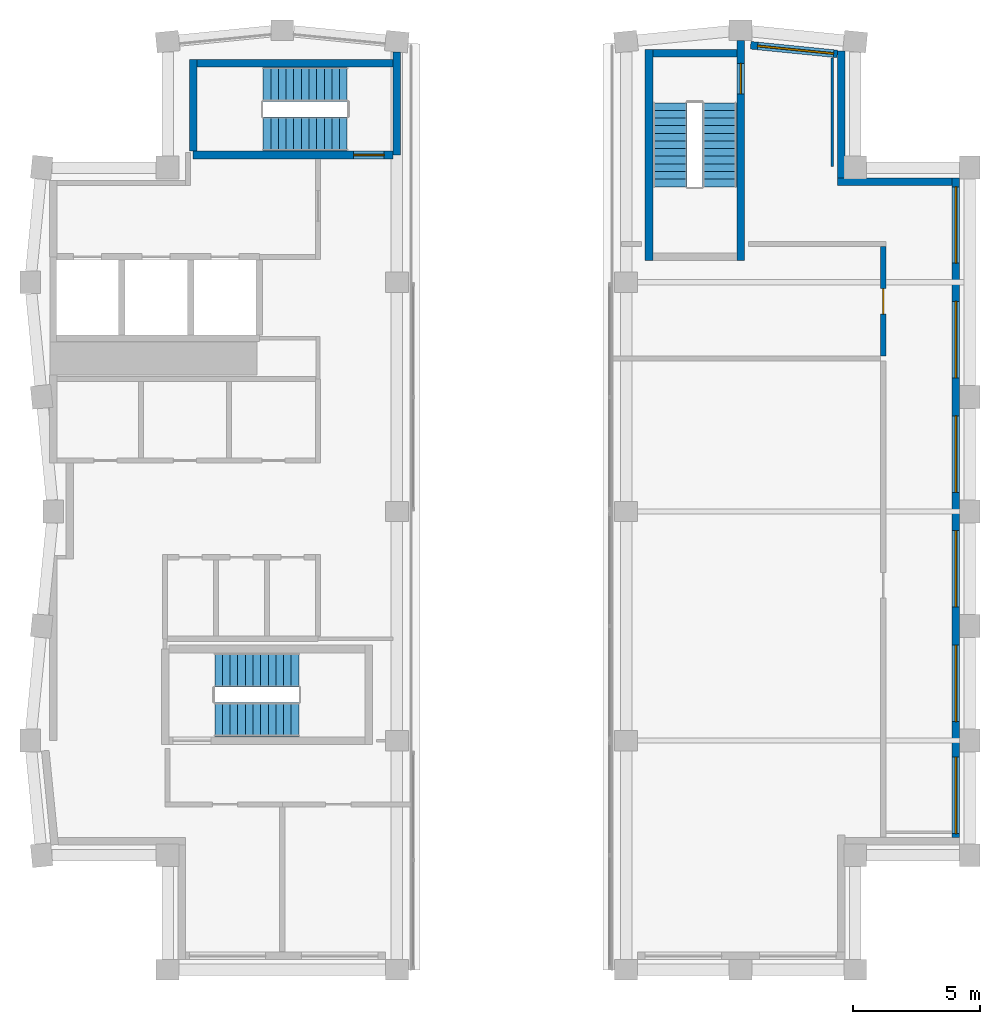
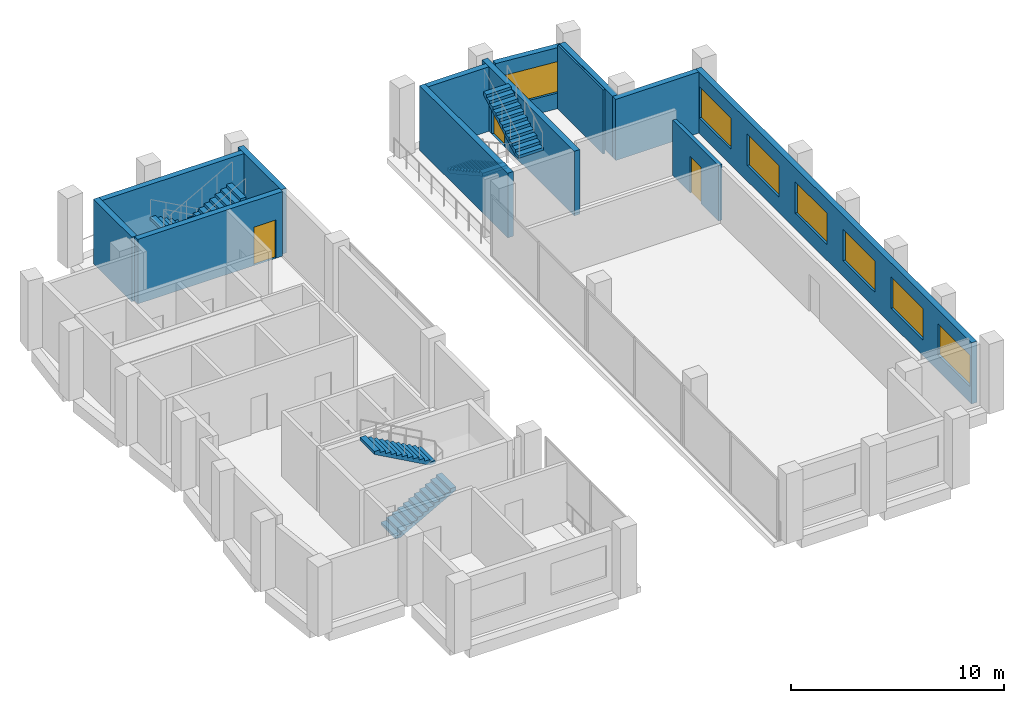
# One storey, part 8 of 9: 13 walls, 7 windows, 6 stair flights, 3 doors, 10 openings, 3 elements without a shape of their own.
"""IFC4 building model written with IfcOpenShell, lengths in metres."""

from ifc_helpers import new_model, si_unit, direction, frame, frame_2d, origin, place, context, subcontext, project, spatial, polyline, rectangle, outline, extrude, material, layer, layer_set, type_object, element, fill, aggregate, save


model = new_model("IFC4")

# Units and contexts
model_context = context("Model", 3, precision=1e-05, world=origin(), true_north=direction((0.0, 1.0)))
body_context = subcontext(model_context, "Body", "Model", "MODEL_VIEW")
ifc_project = project(units=[si_unit("LENGTHUNIT", "METRE"), si_unit("AREAUNIT", "SQUARE_METRE"), si_unit("VOLUMEUNIT", "CUBIC_METRE"), si_unit("PLANEANGLEUNIT", "RADIAN"), si_unit("MASSUNIT", "GRAM", prefix="KILO")], contexts=[model_context])

# Site, building, storey
site_placement = place(None, origin())
site = spatial("IfcSite", under=ifc_project, at=site_placement, CompositionType="ELEMENT")
building_placement = place(site_placement, origin())
building = spatial("IfcBuilding", under=site, at=building_placement, Name="Brondeck Convention Tower", CompositionType="ELEMENT")
storey_placement = place(building_placement, frame((0.0, 0.0, 290.800048828125)))
storey = spatial("IfcBuildingStorey", under=building, at=storey_placement, Name="L72", CompositionType="ELEMENT", Elevation=290.800048828125)

# Wall, openings, windows
ifc_material_1 = material(Name="Precast concrete C50/60 bronze finish", Category="concrete")
ifc_layer_1 = layer(ifc_material_1, 0.070068359375, Name="Bronze precast facing")
ifc_material_2 = material(Name="Mineral wool")
ifc_layer_2 = layer(ifc_material_2, 0.159912109375, Name="Insulation")
ifc_material_3 = material(Name="Concrete C35/45", Category="concrete")
ifc_layer_3 = layer(ifc_material_3, 0.070068359375, Name="Backing")
ifc_layer_set_1 = layer_set([ifc_layer_1, ifc_layer_2, ifc_layer_3], Name="External infill wall, precast concrete C50/60 bronze facing")
wall_type_1 = type_object("IfcWallType", Name="External infill wall, precast concrete C50/60 bronze facing", PredefinedType="SOLIDWALL", material=ifc_layer_set_1)
wall_1_placement = place(storey_placement, frame((35.449951171875, 58.10009765625, 0.0), z_axis=(0.0, 0.0, 1.0), x_axis=(0.0, -1.0, 0.0)))
wall_1 = element("IfcWall", 1, at=wall_1_placement, inside=storey, type_object=wall_type_1, Name="ENV-EW-L72-K2-K-E-01", PredefinedType="SOLIDWALL", context=body_context, shape_type="SweptSolid", body=[
    extrude(rectangle(XDim=25.902099609375, YDim=0.300048828125, at=frame_2d((12.951171875, 0.0))), origin(), (0.0, 0.0, 1.0), 3.5),
])
opening_1_placement = place(wall_1_placement, frame((0.35009765625, 0.0, 0.89990234375)))
opening_1 = element("IfcOpeningElement", 2, at=opening_1_placement, cuts=wall_1, Name="Opening W8", PredefinedType="OPENING", context=body_context, shape_type="SweptSolid", body=[
    extrude(rectangle(XDim=3.0, YDim=1.800048828125, at=frame_2d((1.5, 0.89990234375))), frame((0.0, 0.159912109375, 0.0), z_axis=(0.0, -1.0, 0.0), x_axis=(1.0, 0.0, 0.0)), (0.0, 0.0, 1.0), 0.320068359375),
])
opening_2_placement = place(wall_1_placement, frame((4.85009765625, 0.0, 0.89990234375)))
opening_2 = element("IfcOpeningElement", 3, at=opening_2_placement, cuts=wall_1, Name="Opening W8", PredefinedType="OPENING", context=body_context, shape_type="SweptSolid", body=[
    extrude(rectangle(XDim=3.0, YDim=1.800048828125, at=frame_2d((1.5, 0.89990234375))), frame((0.0, 0.159912109375, 0.0), z_axis=(0.0, -1.0, 0.0), x_axis=(1.0, 0.0, 0.0)), (0.0, 0.0, 1.0), 0.320068359375),
])
opening_3_placement = place(wall_1_placement, frame((9.35009765625, 0.0, 0.89990234375)))
opening_3 = element("IfcOpeningElement", 4, at=opening_3_placement, cuts=wall_1, Name="Opening W8", PredefinedType="OPENING", context=body_context, shape_type="SweptSolid", body=[
    extrude(rectangle(XDim=3.0, YDim=1.800048828125, at=frame_2d((1.5, 0.89990234375))), frame((0.0, 0.159912109375, 0.0), z_axis=(0.0, -1.0, 0.0), x_axis=(1.0, 0.0, 0.0)), (0.0, 0.0, 1.0), 0.320068359375),
])
opening_4_placement = place(wall_1_placement, frame((13.85009765625, 0.0, 0.89990234375)))
opening_4 = element("IfcOpeningElement", 5, at=opening_4_placement, cuts=wall_1, Name="Opening W8", PredefinedType="OPENING", context=body_context, shape_type="SweptSolid", body=[
    extrude(rectangle(XDim=3.0, YDim=1.800048828125, at=frame_2d((1.5, 0.89990234375))), frame((0.0, 0.159912109375, 0.0), z_axis=(0.0, -1.0, 0.0), x_axis=(1.0, 0.0, 0.0)), (0.0, 0.0, 1.0), 0.320068359375),
])
opening_5_placement = place(wall_1_placement, frame((18.35009765625, 0.0, 0.89990234375)))
opening_5 = element("IfcOpeningElement", 6, at=opening_5_placement, cuts=wall_1, Name="Opening W8", PredefinedType="OPENING", context=body_context, shape_type="SweptSolid", body=[
    extrude(rectangle(XDim=3.0, YDim=1.800048828125, at=frame_2d((1.5, 0.89990234375))), frame((0.0, 0.159912109375, 0.0), z_axis=(0.0, -1.0, 0.0), x_axis=(1.0, 0.0, 0.0)), (0.0, 0.0, 1.0), 0.320068359375),
])
opening_6_placement = place(wall_1_placement, frame((22.751953125, 0.0, 0.89990234375)))
opening_6 = element("IfcOpeningElement", 7, at=opening_6_placement, cuts=wall_1, Name="Opening W8", PredefinedType="OPENING", context=body_context, shape_type="SweptSolid", body=[
    extrude(rectangle(XDim=3.0, YDim=1.800048828125, at=frame_2d((1.5, 0.89990234375))), frame((0.0, 0.159912109375, 0.0), z_axis=(0.0, -1.0, 0.0), x_axis=(1.0, 0.0, 0.0)), (0.0, 0.0, 1.0), 0.320068359375),
])
ifc_material_4 = material(Name="Bronze tinted double glazing", Category="glass")
window_type = type_object("IfcWindowType", Name="Crown plant storey window, bronze tinted", PartitioningType="SINGLE_PANEL", PredefinedType="WINDOW", material=ifc_material_4)
window_1_placement = place(opening_1_placement, origin())
window_1 = element("IfcWindow", 8, at=window_1_placement, inside=storey, type_object=window_type, Name="ENV-WN-L72-K2-K-E-06", OverallHeight=1.800048828125, OverallWidth=3.0, PartitioningType="SINGLE_PANEL", PredefinedType="WINDOW", context=body_context, shape_type="SweptSolid", body=[
    extrude(rectangle(XDim=3.0, YDim=1.800048828125, at=frame_2d((1.5, 0.89990234375))), frame((0.0, 0.030029296875, 0.0), z_axis=(0.0, -1.0, 0.0), x_axis=(1.0, 0.0, 0.0)), (0.0, 0.0, 1.0), 0.06005859375),
])
fill(opening_1, window_1)
window_2_placement = place(opening_2_placement, origin())
window_2 = element("IfcWindow", 9, at=window_2_placement, inside=storey, type_object=window_type, Name="ENV-WN-L72-K2-K-E-05", OverallHeight=1.800048828125, OverallWidth=3.0, PartitioningType="SINGLE_PANEL", PredefinedType="WINDOW", context=body_context, shape_type="SweptSolid", body=[
    extrude(rectangle(XDim=3.0, YDim=1.800048828125, at=frame_2d((1.5, 0.89990234375))), frame((0.0, 0.030029296875, 0.0), z_axis=(0.0, -1.0, 0.0), x_axis=(1.0, 0.0, 0.0)), (0.0, 0.0, 1.0), 0.06005859375),
])
fill(opening_2, window_2)
window_3_placement = place(opening_3_placement, origin())
window_3 = element("IfcWindow", 10, at=window_3_placement, inside=storey, type_object=window_type, Name="ENV-WN-L72-K2-K-E-04", OverallHeight=1.800048828125, OverallWidth=3.0, PartitioningType="SINGLE_PANEL", PredefinedType="WINDOW", context=body_context, shape_type="SweptSolid", body=[
    extrude(rectangle(XDim=3.0, YDim=1.800048828125, at=frame_2d((1.5, 0.89990234375))), frame((0.0, 0.030029296875, 0.0), z_axis=(0.0, -1.0, 0.0), x_axis=(1.0, 0.0, 0.0)), (0.0, 0.0, 1.0), 0.06005859375),
])
fill(opening_3, window_3)
window_4_placement = place(opening_4_placement, origin())
window_4 = element("IfcWindow", 11, at=window_4_placement, inside=storey, type_object=window_type, Name="ENV-WN-L72-K2-K-E-03", OverallHeight=1.800048828125, OverallWidth=3.0, PartitioningType="SINGLE_PANEL", PredefinedType="WINDOW", context=body_context, shape_type="SweptSolid", body=[
    extrude(rectangle(XDim=3.0, YDim=1.800048828125, at=frame_2d((1.5, 0.89990234375))), frame((0.0, 0.030029296875, 0.0), z_axis=(0.0, -1.0, 0.0), x_axis=(1.0, 0.0, 0.0)), (0.0, 0.0, 1.0), 0.06005859375),
])
fill(opening_4, window_4)
window_5_placement = place(opening_5_placement, origin())
window_5 = element("IfcWindow", 12, at=window_5_placement, inside=storey, type_object=window_type, Name="ENV-WN-L72-K2-K-E-02", OverallHeight=1.800048828125, OverallWidth=3.0, PartitioningType="SINGLE_PANEL", PredefinedType="WINDOW", context=body_context, shape_type="SweptSolid", body=[
    extrude(rectangle(XDim=3.0, YDim=1.800048828125, at=frame_2d((1.5, 0.89990234375))), frame((0.0, 0.030029296875, 0.0), z_axis=(0.0, -1.0, 0.0), x_axis=(1.0, 0.0, 0.0)), (0.0, 0.0, 1.0), 0.06005859375),
])
fill(opening_5, window_5)
window_6_placement = place(opening_6_placement, origin())
window_6 = element("IfcWindow", 13, at=window_6_placement, inside=storey, type_object=window_type, Name="ENV-WN-L72-K2-K-E-01", OverallHeight=1.800048828125, OverallWidth=3.0, PartitioningType="SINGLE_PANEL", PredefinedType="WINDOW", context=body_context, shape_type="SweptSolid", body=[
    extrude(rectangle(XDim=3.0, YDim=1.800048828125, at=frame_2d((1.5, 0.89990234375))), frame((0.0, 0.030029296875, 0.0), z_axis=(0.0, -1.0, 0.0), x_axis=(1.0, 0.0, 0.0)), (0.0, 0.0, 1.0), 0.06005859375),
])
fill(opening_6, window_6)

# Walls
wall_2_placement = place(storey_placement, frame((30.800048828125, 57.949951171875, 0.0), z_axis=(0.0, 0.0, 1.0), x_axis=(1.0, 0.0, 0.0)))
element("IfcWall", 14, at=wall_2_placement, inside=storey, type_object=wall_type_1, Name="ENV-EW-L72-K2-NC-KNE-01", PredefinedType="SOLIDWALL", context=body_context, shape_type="SweptSolid", body=[
    extrude(rectangle(XDim=4.501953125, YDim=0.300048828125, at=frame_2d((2.2509765625, 0.0))), origin(), (0.0, 0.0, 1.0), 3.5),
])
wall_3_placement = place(storey_placement, frame((30.949951171875, 63.087890625, 0.0), z_axis=(0.0, 0.0, 1.0), x_axis=(0.0, -1.0, 0.0)))
element("IfcWall", 15, at=wall_3_placement, inside=storey, type_object=wall_type_1, Name="ENV-EW-L72-K2-NC-KNE-02", PredefinedType="SOLIDWALL", context=body_context, shape_type="SweptSolid", body=[
    extrude(rectangle(XDim=4.989990234375, YDim=0.300048828125, at=frame_2d((2.4951171875, 0.0))), origin(), (0.0, 0.0, 1.0), 3.5),
])

# Wall, opening, window
wall_4_placement = place(storey_placement, frame((27.39306640625, 63.30810546875, 0.0), z_axis=(0.0, 0.0, 1.0), x_axis=(0.995030125493, -0.099574340874, 0.0)))
wall_4 = element("IfcWall", 16, at=wall_4_placement, inside=storey, type_object=wall_type_1, Name="ENV-EW-L72-K2-A-N-06", PredefinedType="SOLIDWALL", context=body_context, shape_type="SweptSolid", body=[
    extrude(rectangle(XDim=3.4228515625, YDim=0.300048828125, at=frame_2d((1.71142578125, 0.0))), origin(), (0.0, 0.0, 1.0), 3.5),
])
opening_7_placement = place(wall_4_placement, frame((0.272705078125, 0.0, 0.89990234375)))
opening_7 = element("IfcOpeningElement", 17, at=opening_7_placement, cuts=wall_4, Name="Opening W8", PredefinedType="OPENING", context=body_context, shape_type="SweptSolid", body=[
    extrude(rectangle(XDim=3.0, YDim=1.800048828125, at=frame_2d((1.5, 0.89990234375))), frame((0.0, 0.159912109375, 0.0), z_axis=(0.0, -1.0, 0.0), x_axis=(1.0, 0.0, 0.0)), (0.0, 0.0, 1.0), 0.320068359375),
])
window_7_placement = place(opening_7_placement, origin())
window_7 = element("IfcWindow", 18, at=window_7_placement, inside=storey, type_object=window_type, Name="ENV-WN-L72-K2-A-N-06", OverallHeight=1.800048828125, OverallWidth=3.0, PartitioningType="SINGLE_PANEL", PredefinedType="WINDOW", context=body_context, shape_type="SweptSolid", body=[
    extrude(rectangle(XDim=3.0, YDim=1.800048828125, at=frame_2d((1.5, 0.89990234375))), frame((0.0, 0.030029296875, 0.0), z_axis=(0.0, -1.0, 0.0), x_axis=(1.0, 0.0, 0.0)), (0.0, 0.0, 1.0), 0.06005859375),
])
fill(opening_7, window_7)

# Wall, opening, door
ifc_material_5 = material(Name="Concrete block wall C16/20", Category="concrete")
ifc_layer_4 = layer(ifc_material_5, 0.199951171875)
ifc_layer_set_2 = layer_set([ifc_layer_4], Name="Plant room wall 200")
wall_type_2 = type_object("IfcWallType", Name="Plant room wall 200", PredefinedType="PARTITIONING", material=ifc_layer_set_2)
wall_5_placement = place(storey_placement, frame((32.60009765625, 51.10009765625, 0.0), z_axis=(0.0, 0.0, 1.0), x_axis=(0.0, 1.0, 0.0)))
wall_5 = element("IfcWall", 19, at=wall_5_placement, inside=storey, type_object=wall_type_2, Name="FLR-L72-W009", PredefinedType="PARTITIONING", context=body_context, shape_type="SweptSolid", body=[
    extrude(rectangle(XDim=4.2998046875, YDim=0.199951171875, at=frame_2d((2.14990234375, 0.0))), origin(), (0.0, 0.0, 1.0), 3.179931640625),
])
opening_8_placement = place(wall_5_placement, frame((1.64990234375, 0.0, 0.0)))
opening_8 = element("IfcOpeningElement", 20, at=opening_8_placement, cuts=wall_5, Name="Opening CR-B-004", PredefinedType="OPENING", context=body_context, shape_type="SweptSolid", body=[
    extrude(rectangle(XDim=1.0, YDim=2.10009765625, at=frame_2d((0.5, 1.050048828125))), frame((0.0, 0.10986328125, 0.0), z_axis=(0.0, -1.0, 0.0), x_axis=(1.0, 0.0, 0.0)), (0.0, 0.0, 1.0), 0.219970703125),
])
ifc_material_6 = material(Name="Steel fire door leaf", Category="steel")
door_type_1 = type_object("IfcDoorType", Name="Plant room door 1000", OperationType="NOTDEFINED", PredefinedType="DOOR", material=ifc_material_6)
door_1_placement = place(opening_8_placement, origin())
door_1 = element("IfcDoor", 21, at=door_1_placement, inside=storey, type_object=door_type_1, Name="Door CR-B-004", OperationType="SINGLE_SWING_RIGHT", OverallHeight=2.10009765625, OverallWidth=1.0, PredefinedType="DOOR", context=body_context, shape_type="SweptSolid", body=[
    extrude(rectangle(XDim=1.0, YDim=2.10009765625, at=frame_2d((0.5, 1.050048828125))), frame((0.0, 0.02490234375, 0.0), z_axis=(0.0, -1.0, 0.0), x_axis=(1.0, 0.0, 0.0)), (0.0, 0.0, 1.0), 0.050048828125),
])
fill(opening_8, door_1)

# Wall
ifc_material_7 = material(Name="Gypsum board partition on steel studs", Category="steel")
ifc_layer_5 = layer(ifc_material_7, 0.10009765625)
ifc_layer_set_3 = layer_set([ifc_layer_5], Name="Room partition 100")
wall_type_3 = type_object("IfcWallType", Name="Room partition 100", PredefinedType="PARTITIONING", material=ifc_layer_set_3)
wall_6_placement = place(storey_placement, frame((30.60009765625, 62.81640625, 0.0), z_axis=(0.0, 0.0, 1.0), x_axis=(0.0, -1.0, 0.0)))
element("IfcWall", 22, at=wall_6_placement, inside=storey, type_object=wall_type_3, Name="FLR-L72-W012", PredefinedType="PARTITIONING", context=body_context, shape_type="SweptSolid", body=[
    extrude(rectangle(XDim=4.266357421875, YDim=0.10009765625, at=frame_2d((2.13330078125, 0.0))), origin(), (0.0, 0.0, 1.0), 3.679931640625),
])

# Wall, opening, door
ifc_material_8 = material(Name="Concrete C50/60", Category="concrete")
ifc_layer_6 = layer(ifc_material_8, 0.300048828125)
ifc_layer_set_4 = layer_set([ifc_layer_6], Name="Stair enclosure wall 300 Concrete C50/60")
wall_type_4 = type_object("IfcWallType", Name="Stair enclosure wall 300 Concrete C50/60", PredefinedType="SHEAR", material=ifc_layer_set_4)
wall_7_placement = place(storey_placement, frame((5.5, 59.0, 0.0), z_axis=(0.0, 0.0, 1.0), x_axis=(1.0, 0.0, 0.0)))
wall_7 = element("IfcWall", 23, at=wall_7_placement, inside=storey, type_object=wall_type_4, Name="L72 core wall", PredefinedType="SHEAR", context=body_context, shape_type="SweptSolid", body=[
    extrude(rectangle(XDim=7.85009765625, YDim=0.300048828125, at=frame_2d((3.925048828125, 0.0))), origin(), (0.0, 0.0, 1.0), 3.699951171875),
])
opening_9_placement = place(wall_7_placement, frame((6.300048828125, 0.0, 0.0)))
opening_9 = element("IfcOpeningElement", 24, at=opening_9_placement, cuts=wall_7, Name="Opening C42-10", PredefinedType="OPENING", context=body_context, shape_type="SweptSolid", body=[
    extrude(rectangle(XDim=1.199951171875, YDim=2.199951171875, at=frame_2d((0.60009765625, 1.10009765625))), frame((0.0, 0.159912109375, 0.0), z_axis=(0.0, -1.0, 0.0), x_axis=(1.0, 0.0, 0.0)), (0.0, 0.0, 1.0), 0.320068359375),
])
ifc_material_9 = material(Name="Steel fire door", Category="steel")
door_type_2 = type_object("IfcDoorType", Name="Stair door 1200x2200 EI 120", OperationType="NOTDEFINED", PredefinedType="DOOR", material=ifc_material_9)
door_2_placement = place(opening_9_placement, origin())
door_2 = element("IfcDoor", 25, at=door_2_placement, inside=storey, type_object=door_type_2, Name="L72 Stair door ST-3", OperationType="SINGLE_SWING_RIGHT", OverallHeight=2.199951171875, OverallWidth=1.199951171875, PredefinedType="DOOR", context=body_context, shape_type="SweptSolid", body=[
    extrude(rectangle(XDim=1.199951171875, YDim=2.199951171875, at=frame_2d((0.60009765625, 1.10009765625))), frame((0.0, 0.02490234375, 0.0), z_axis=(0.0, -1.0, 0.0), x_axis=(1.0, 0.0, 0.0)), (0.0, 0.0, 1.0), 0.050048828125),
])
fill(opening_9, door_2)

# Walls
wall_8_placement = place(storey_placement, frame((5.64990234375, 62.60009765625, 0.0), z_axis=(0.0, 0.0, 1.0), x_axis=(1.0, 0.0, 0.0)))
element("IfcWall", 26, at=wall_8_placement, inside=storey, type_object=wall_type_4, Name="L72 core wall", PredefinedType="SHEAR", context=body_context, shape_type="SweptSolid", body=[
    extrude(rectangle(XDim=7.7001953125, YDim=0.300048828125, at=frame_2d((3.85009765625, 0.0))), origin(), (0.0, 0.0, 1.0), 3.699951171875),
])
wall_9_placement = place(storey_placement, frame((23.550048828125, 63.0, 0.0), z_axis=(0.0, 0.0, 1.0), x_axis=(1.0, 0.0, 0.0)))
element("IfcWall", 27, at=wall_9_placement, inside=storey, type_object=wall_type_4, Name="L72 core wall", PredefinedType="SHEAR", context=body_context, shape_type="SweptSolid", body=[
    extrude(rectangle(XDim=3.300048828125, YDim=0.300048828125, at=frame_2d((1.64990234375, 0.0))), origin(), (0.0, 0.0, 1.0), 3.699951171875),
])
wall_10_placement = place(storey_placement, frame((5.5, 59.14990234375, 0.0), z_axis=(0.0, 0.0, 1.0), x_axis=(0.0, 1.0, 0.0)))
element("IfcWall", 28, at=wall_10_placement, inside=storey, type_object=wall_type_4, Name="L72 core wall", PredefinedType="SHEAR", context=body_context, shape_type="SweptSolid", body=[
    extrude(rectangle(XDim=3.60009765625, YDim=0.300048828125, at=frame_2d((1.800048828125, 0.0))), origin(), (0.0, 0.0, 1.0), 3.699951171875),
])
wall_11_placement = place(storey_placement, frame((13.5, 59.0, 0.0), z_axis=(0.0, 0.0, 1.0), x_axis=(0.0, 1.0, 0.0)))
element("IfcWall", 29, at=wall_11_placement, inside=storey, type_object=wall_type_4, Name="L72 core wall", PredefinedType="SHEAR", context=body_context, shape_type="SweptSolid", body=[
    extrude(rectangle(XDim=4.048095703125, YDim=0.300048828125, at=frame_2d((2.02392578125, 0.0))), origin(), (0.0, 0.0, 1.0), 3.699951171875),
])
wall_12_placement = place(storey_placement, frame((23.39990234375, 54.85009765625, 0.0), z_axis=(0.0, 0.0, 1.0), x_axis=(0.0, 1.0, 0.0)))
element("IfcWall", 30, at=wall_12_placement, inside=storey, type_object=wall_type_4, Name="L72 core wall", PredefinedType="SHEAR", context=body_context, shape_type="SweptSolid", body=[
    extrude(rectangle(XDim=8.2998046875, YDim=0.300048828125, at=frame_2d((4.14990234375, 0.0))), origin(), (0.0, 0.0, 1.0), 3.699951171875),
])

# Wall, opening, door
wall_13_placement = place(storey_placement, frame((27.0, 54.85009765625, 0.0), z_axis=(0.0, 0.0, 1.0), x_axis=(0.0, 1.0, 0.0)))
wall_13 = element("IfcWall", 31, at=wall_13_placement, inside=storey, type_object=wall_type_4, Name="L72 core wall", PredefinedType="SHEAR", context=body_context, shape_type="SweptSolid", body=[
    extrude(rectangle(XDim=8.64990234375, YDim=0.300048828125, at=frame_2d((4.324951171875, 0.0))), origin(), (0.0, 0.0, 1.0), 3.699951171875),
])
opening_10_placement = place(wall_13_placement, frame((6.550048828125, 0.0, 0.0)))
opening_10 = element("IfcOpeningElement", 32, at=opening_10_placement, cuts=wall_13, Name="Opening C42-09", PredefinedType="OPENING", context=body_context, shape_type="SweptSolid", body=[
    extrude(rectangle(XDim=1.199951171875, YDim=2.199951171875, at=frame_2d((0.60009765625, 1.10009765625))), frame((0.0, 0.159912109375, 0.0), z_axis=(0.0, -1.0, 0.0), x_axis=(1.0, 0.0, 0.0)), (0.0, 0.0, 1.0), 0.320068359375),
])
door_type_3 = type_object("IfcDoorType", Name="Stair door 1200x2200 EI 90", OperationType="NOTDEFINED", PredefinedType="DOOR", material=ifc_material_9)
door_3_placement = place(opening_10_placement, origin())
door_3 = element("IfcDoor", 33, at=door_3_placement, inside=storey, type_object=door_type_3, Name="L72 Stair door ST-2", OperationType="SINGLE_SWING_LEFT", OverallHeight=2.199951171875, OverallWidth=1.199951171875, PredefinedType="DOOR", context=body_context, shape_type="SweptSolid", body=[
    extrude(rectangle(XDim=1.199951171875, YDim=2.199951171875, at=frame_2d((0.60009765625, 1.10009765625))), frame((0.0, 0.02490234375, 0.0), z_axis=(0.0, -1.0, 0.0), x_axis=(1.0, 0.0, 0.0)), (0.0, 0.0, 1.0), 0.050048828125),
])
fill(opening_10, door_3)

# Stair, stair flights
ifc_material_10 = material(Name="Precast concrete C50/60", Category="concrete")
stair_type = type_object("IfcStairType", Name="Core stair 24 risers 166.67 mm riser 300 mm going 1350 wide", PredefinedType="HALF_TURN_STAIR", material=ifc_material_10)
stair_1_placement = place(storey_placement, origin())
stair_1 = element("IfcStair", 34, at=stair_1_placement, inside=storey, type_object=stair_type, Name="ST-1 L72 stair", PredefinedType="HALF_TURN_STAIR")
stair_flight_type = type_object("IfcStairFlightType", Name="Core stair flight 24 risers 166.67 mm riser 300 mm going 1350 wide", PredefinedType="STRAIGHT", material=ifc_material_10)
stair_flight_1_placement = place(storey_placement, frame((6.35009765625, 36.824951171875, 0.0), z_axis=(0.0, 0.0, 1.0), x_axis=(1.0, 0.0, 0.0)))
stair_flight_1 = element("IfcStairFlight", 35, at=stair_flight_1_placement, type_object=stair_flight_type, Name="ST-1 flight 1", NumberOfRisers=12, NumberOfTreads=11, PredefinedType="STRAIGHT", RiserHeight=0.166666667, TreadLength=0.3, context=body_context, shape_type="SweptSolid", body=[
    extrude(outline(polyline([(0.0, 0.0), (0.0, 0.166748046875), (0.300048828125, 0.166748046875), (0.300048828125, 0.333251953125), (0.60009765625, 0.333251953125), (0.60009765625, 0.5), (0.89990234375, 0.5), (0.89990234375, 0.666748046875), (1.199951171875, 0.666748046875), (1.199951171875, 0.833251953125), (1.5, 0.833251953125), (1.5, 1.0), (1.800048828125, 1.0), (1.800048828125, 1.166748046875), (2.10009765625, 1.166748046875), (2.10009765625, 1.333251953125), (2.39990234375, 1.333251953125), (2.39990234375, 1.5), (2.699951171875, 1.5), (2.699951171875, 1.666748046875), (3.0, 1.666748046875), (3.0, 1.833251953125), (3.300048828125, 1.833251953125), (3.300048828125, 2.0), (3.300048828125, 1.661865234375), (0.30859375, 0.0), (0.0, 0.0)])), frame((0.0, 0.675048828125, 0.0), z_axis=(0.0, -1.0, 0.0), x_axis=(1.0, 0.0, 0.0)), (0.0, 0.0, 1.0), 1.35009765625),
])
stair_flight_2_placement = place(storey_placement, frame((9.64990234375, 38.77490234375, 2.0), z_axis=(0.0, 0.0, 1.0), x_axis=(-1.0, 0.0, 0.0)))
stair_flight_2 = element("IfcStairFlight", 36, at=stair_flight_2_placement, type_object=stair_flight_type, Name="ST-1 flight 2", NumberOfRisers=12, NumberOfTreads=11, PredefinedType="STRAIGHT", RiserHeight=0.166666667, TreadLength=0.3, context=body_context, shape_type="SweptSolid", body=[
    extrude(outline(polyline([(0.0, 0.0), (0.0, 0.166748046875), (0.300048828125, 0.166748046875), (0.300048828125, 0.333251953125), (0.60009765625, 0.333251953125), (0.60009765625, 0.5), (0.89990234375, 0.5), (0.89990234375, 0.666748046875), (1.199951171875, 0.666748046875), (1.199951171875, 0.833251953125), (1.5, 0.833251953125), (1.5, 1.0), (1.800048828125, 1.0), (1.800048828125, 1.166748046875), (2.10009765625, 1.166748046875), (2.10009765625, 1.333251953125), (2.39990234375, 1.333251953125), (2.39990234375, 1.5), (2.699951171875, 1.5), (2.699951171875, 1.666748046875), (3.0, 1.666748046875), (3.0, 1.833251953125), (3.300048828125, 1.833251953125), (3.300048828125, 2.0), (3.300048828125, 1.661865234375), (0.30859375, 0.0), (0.0, 0.0)])), frame((0.0, 0.675048828125, 0.0), z_axis=(0.0, -1.0, 0.0), x_axis=(1.0, 0.0, 0.0)), (0.0, 0.0, 1.0), 1.35009765625),
])
aggregate(stair_1, [stair_flight_1, stair_flight_2])

stair_2_placement = place(storey_placement, origin())
stair_2 = element("IfcStair", 37, at=stair_2_placement, inside=storey, type_object=stair_type, Name="ST-2 L72 stair", PredefinedType="HALF_TURN_STAIR")
stair_flight_3_placement = place(storey_placement, frame((24.22509765625, 61.050048828125, 0.0), z_axis=(0.0, 0.0, 1.0), x_axis=(0.0, -1.0, 0.0)))
stair_flight_3 = element("IfcStairFlight", 38, at=stair_flight_3_placement, type_object=stair_flight_type, Name="ST-2 flight 1", NumberOfRisers=12, NumberOfTreads=11, PredefinedType="STRAIGHT", RiserHeight=0.166666667, TreadLength=0.3, context=body_context, shape_type="SweptSolid", body=[
    extrude(outline(polyline([(0.0, 0.0), (0.0, 0.166748046875), (0.300048828125, 0.166748046875), (0.300048828125, 0.333251953125), (0.60009765625, 0.333251953125), (0.60009765625, 0.5), (0.89990234375, 0.5), (0.89990234375, 0.666748046875), (1.199951171875, 0.666748046875), (1.199951171875, 0.833251953125), (1.5, 0.833251953125), (1.5, 1.0), (1.800048828125, 1.0), (1.800048828125, 1.166748046875), (2.10009765625, 1.166748046875), (2.10009765625, 1.333251953125), (2.39990234375, 1.333251953125), (2.39990234375, 1.5), (2.699951171875, 1.5), (2.699951171875, 1.666748046875), (3.0, 1.666748046875), (3.0, 1.833251953125), (3.300048828125, 1.833251953125), (3.300048828125, 2.0), (3.300048828125, 1.661865234375), (0.30859375, 0.0), (0.0, 0.0)])), frame((0.0, 0.675048828125, 0.0), z_axis=(0.0, -1.0, 0.0), x_axis=(1.0, 0.0, 0.0)), (0.0, 0.0, 1.0), 1.35009765625),
])
stair_flight_4_placement = place(storey_placement, frame((26.175048828125, 57.75, 2.0), z_axis=(0.0, 0.0, 1.0), x_axis=(0.0, 1.0, 0.0)))
stair_flight_4 = element("IfcStairFlight", 39, at=stair_flight_4_placement, type_object=stair_flight_type, Name="ST-2 flight 2", NumberOfRisers=12, NumberOfTreads=11, PredefinedType="STRAIGHT", RiserHeight=0.166666667, TreadLength=0.3, context=body_context, shape_type="SweptSolid", body=[
    extrude(outline(polyline([(0.0, 0.0), (0.0, 0.166748046875), (0.300048828125, 0.166748046875), (0.300048828125, 0.333251953125), (0.60009765625, 0.333251953125), (0.60009765625, 0.5), (0.89990234375, 0.5), (0.89990234375, 0.666748046875), (1.199951171875, 0.666748046875), (1.199951171875, 0.833251953125), (1.5, 0.833251953125), (1.5, 1.0), (1.800048828125, 1.0), (1.800048828125, 1.166748046875), (2.10009765625, 1.166748046875), (2.10009765625, 1.333251953125), (2.39990234375, 1.333251953125), (2.39990234375, 1.5), (2.699951171875, 1.5), (2.699951171875, 1.666748046875), (3.0, 1.666748046875), (3.0, 1.833251953125), (3.300048828125, 1.833251953125), (3.300048828125, 2.0), (3.300048828125, 1.661865234375), (0.30859375, 0.0), (0.0, 0.0)])), frame((0.0, 0.675048828125, 0.0), z_axis=(0.0, -1.0, 0.0), x_axis=(1.0, 0.0, 0.0)), (0.0, 0.0, 1.0), 1.35009765625),
])
aggregate(stair_2, [stair_flight_3, stair_flight_4])

stair_3_placement = place(storey_placement, origin())
stair_3 = element("IfcStair", 40, at=stair_3_placement, inside=storey, type_object=stair_type, Name="ST-3 L72 stair", PredefinedType="HALF_TURN_STAIR")
stair_flight_5_placement = place(storey_placement, frame((11.550048828125, 61.77490234375, 0.0), z_axis=(0.0, 0.0, 1.0), x_axis=(-1.0, 0.0, 0.0)))
stair_flight_5 = element("IfcStairFlight", 41, at=stair_flight_5_placement, type_object=stair_flight_type, Name="ST-3 flight 1", NumberOfRisers=12, NumberOfTreads=11, PredefinedType="STRAIGHT", RiserHeight=0.166666667, TreadLength=0.3, context=body_context, shape_type="SweptSolid", body=[
    extrude(outline(polyline([(0.0, 0.0), (0.0, 0.166748046875), (0.300048828125, 0.166748046875), (0.300048828125, 0.333251953125), (0.60009765625, 0.333251953125), (0.60009765625, 0.5), (0.89990234375, 0.5), (0.89990234375, 0.666748046875), (1.199951171875, 0.666748046875), (1.199951171875, 0.833251953125), (1.5, 0.833251953125), (1.5, 1.0), (1.800048828125, 1.0), (1.800048828125, 1.166748046875), (2.10009765625, 1.166748046875), (2.10009765625, 1.333251953125), (2.39990234375, 1.333251953125), (2.39990234375, 1.5), (2.699951171875, 1.5), (2.699951171875, 1.666748046875), (3.0, 1.666748046875), (3.0, 1.833251953125), (3.300048828125, 1.833251953125), (3.300048828125, 2.0), (3.300048828125, 1.661865234375), (0.30859375, 0.0), (0.0, 0.0)])), frame((0.0, 0.675048828125, 0.0), z_axis=(0.0, -1.0, 0.0), x_axis=(1.0, 0.0, 0.0)), (0.0, 0.0, 1.0), 1.35009765625),
])
stair_flight_6_placement = place(storey_placement, frame((8.25, 59.824951171875, 2.0), z_axis=(0.0, 0.0, 1.0), x_axis=(1.0, 0.0, 0.0)))
stair_flight_6 = element("IfcStairFlight", 42, at=stair_flight_6_placement, type_object=stair_flight_type, Name="ST-3 flight 2", NumberOfRisers=12, NumberOfTreads=11, PredefinedType="STRAIGHT", RiserHeight=0.166666667, TreadLength=0.3, context=body_context, shape_type="SweptSolid", body=[
    extrude(outline(polyline([(0.0, 0.0), (0.0, 0.166748046875), (0.300048828125, 0.166748046875), (0.300048828125, 0.333251953125), (0.60009765625, 0.333251953125), (0.60009765625, 0.5), (0.89990234375, 0.5), (0.89990234375, 0.666748046875), (1.199951171875, 0.666748046875), (1.199951171875, 0.833251953125), (1.5, 0.833251953125), (1.5, 1.0), (1.800048828125, 1.0), (1.800048828125, 1.166748046875), (2.10009765625, 1.166748046875), (2.10009765625, 1.333251953125), (2.39990234375, 1.333251953125), (2.39990234375, 1.5), (2.699951171875, 1.5), (2.699951171875, 1.666748046875), (3.0, 1.666748046875), (3.0, 1.833251953125), (3.300048828125, 1.833251953125), (3.300048828125, 2.0), (3.300048828125, 1.661865234375), (0.30859375, 0.0), (0.0, 0.0)])), frame((0.0, 0.675048828125, 0.0), z_axis=(0.0, -1.0, 0.0), x_axis=(1.0, 0.0, 0.0)), (0.0, 0.0, 1.0), 1.35009765625),
])
aggregate(stair_3, [stair_flight_5, stair_flight_6])

save(model, "model.ifc")
